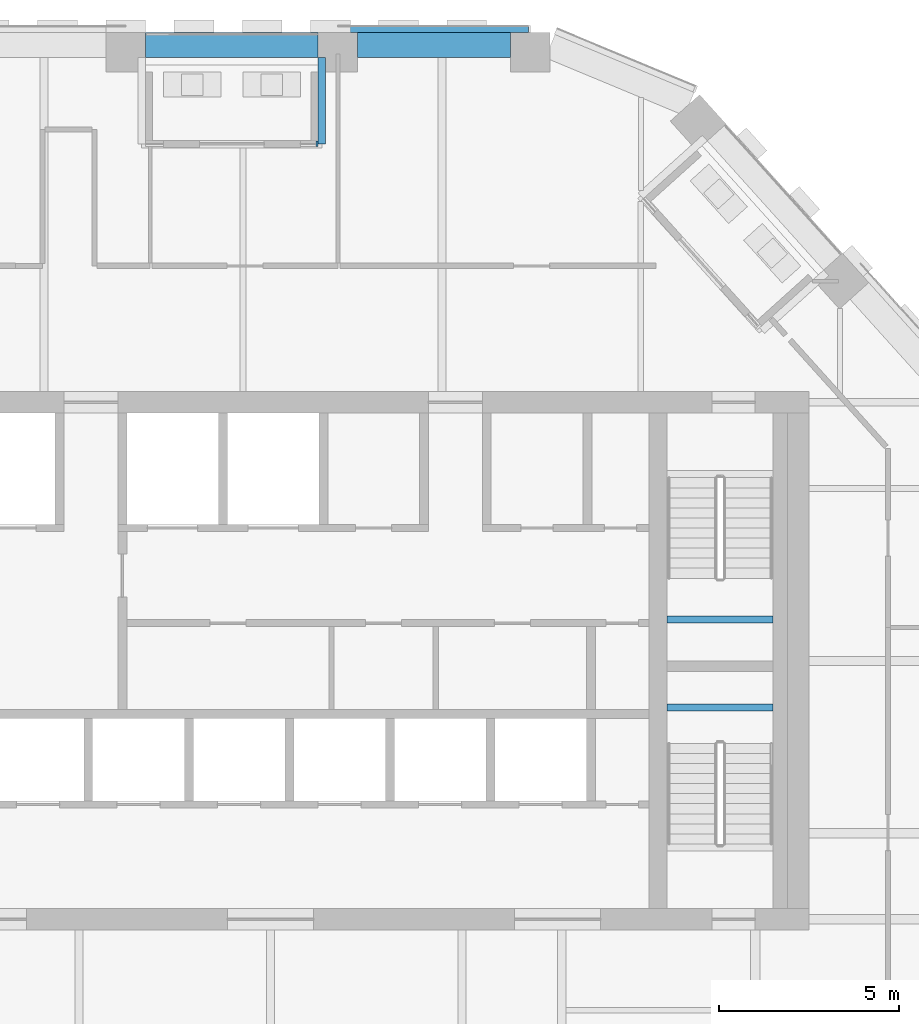
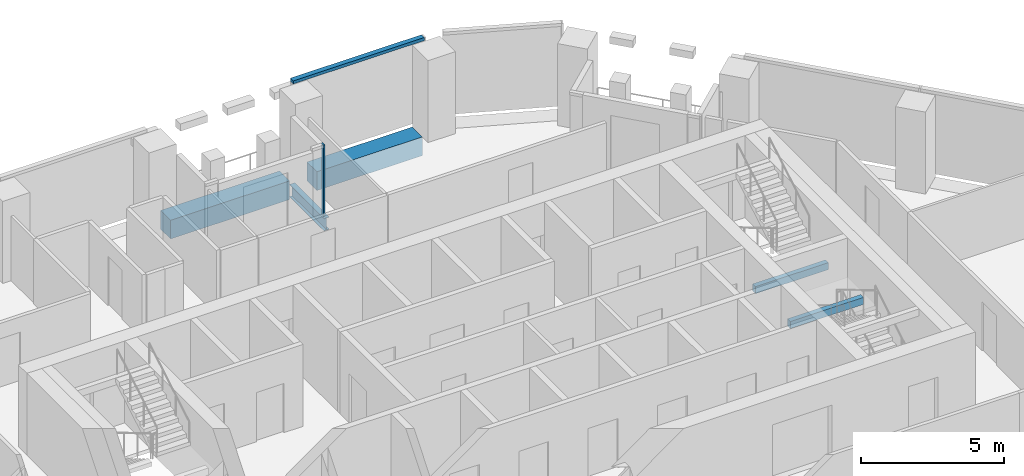
# One storey, part 7 of 24: 5 beams, 2 members, 2 elements without a shape of their own.
"""IFC4 building model written with IfcOpenShell, lengths in metres."""

from ifc_helpers import new_model, si_unit, direction, frame, origin, origin_2d, place, context, subcontext, project, spatial, rectangle, i_section, extrude, material, layer, layer_set, material_profile, profile_set, type_object, element, aggregate, save


model = new_model("IFC4")

# Units and contexts
model_context = context("Model", 3, precision=1e-05, world=origin(), true_north=direction((0.0, 1.0)))
body_context = subcontext(model_context, "Body", "Model", "MODEL_VIEW")
ifc_project = project(units=[si_unit("LENGTHUNIT", "METRE"), si_unit("AREAUNIT", "SQUARE_METRE"), si_unit("VOLUMEUNIT", "CUBIC_METRE"), si_unit("PLANEANGLEUNIT", "RADIAN"), si_unit("MASSUNIT", "GRAM", prefix="KILO")], contexts=[model_context])

# Site, building, storey
site_placement = place(None, origin())
site = spatial("IfcSite", under=ifc_project, at=site_placement, CompositionType="ELEMENT")
building_placement = place(site_placement, origin())
building = spatial("IfcBuilding", under=site, at=building_placement, Name="Isthmus Gate Tower", CompositionType="ELEMENT")
storey_placement = place(building_placement, frame((0.0, 0.0, 234.550048828125)))
storey = spatial("IfcBuildingStorey", under=building, at=storey_placement, Name="L59", CompositionType="ELEMENT", Elevation=234.550048828125)

# Curtain wall, member
ifc_material_1 = material(Name="Aluminium, pale champagne anodised", Category="aluminium")
ifc_layer_1 = layer(ifc_material_1, 0.199951171875)
ifc_layer_set_1 = layer_set([ifc_layer_1], Name="CW-1 UNITISED CURTAIN WALL 200 DEEP")
curtain_wall_type_1 = type_object("IfcCurtainWallType", Name="CW-1 UNITISED CURTAIN WALL 200 DEEP", PredefinedType="NOTDEFINED", material=ifc_layer_set_1)
curtain_wall_1_placement = place(storey_placement, origin())
curtain_wall_1 = element("IfcCurtainWall", 1, at=curtain_wall_1_placement, inside=storey, type_object=curtain_wall_type_1, Name="CW-1 N L59", PredefinedType="NOTDEFINED")
ifc_material_2 = material(Name="Aluminium, pale champagne anodised", Category="aluminium")
ifc_material_profile_1 = material_profile(ifc_material_2, rectangle(XDim=0.199951171875, YDim=0.1298828125, at=origin_2d()), Name="200x130")
ifc_profile_set_1 = profile_set([ifc_material_profile_1], Name="Aluminium, pale champagne anodised")
member_type_1 = type_object("IfcMemberType", Name="CW-1 TRANSOM 200 X 130", PredefinedType="USERDEFINED", material=ifc_profile_set_1)
member_1_placement = place(storey_placement, frame((7.18115234375, 25.10009765625, 3.5849609375), z_axis=(-1.0, 0.0, 0.0), x_axis=(0.0, -1.0, 0.0)))
member_1 = element("IfcMember", 2, at=member_1_placement, type_object=member_type_1, Name="CW-1 transom", ObjectType="TRANSOM", PredefinedType="USERDEFINED", context=body_context, shape_type="SweptSolid", body=[
    extrude(rectangle(XDim=0.199951171875, YDim=0.1298828125, at=origin_2d()), origin(), (0.0, 0.0, 1.0), 5.300537109375),
])
aggregate(curtain_wall_1, [member_1])

ifc_material_3 = material(Name="Aluminium, pale champagne anodised", Category="aluminium")
ifc_layer_2 = layer(ifc_material_3, 0.14990234375)
ifc_layer_set_2 = layer_set([ifc_layer_2], Name="CW-6 LOGGIA BACK WALL GLAZING 150 DEEP")
curtain_wall_type_2 = type_object("IfcCurtainWallType", Name="CW-6 LOGGIA BACK WALL GLAZING 150 DEEP", PredefinedType="NOTDEFINED", material=ifc_layer_set_2)
curtain_wall_2_placement = place(storey_placement, origin())
curtain_wall_2 = element("IfcCurtainWall", 3, at=curtain_wall_2_placement, inside=storey, type_object=curtain_wall_type_2, Name="CW-6 N L59", PredefinedType="NOTDEFINED")
ifc_material_4 = material(Name="Aluminium, pale champagne anodised", Category="aluminium")
ifc_material_profile_2 = material_profile(ifc_material_4, rectangle(XDim=0.06005859375, YDim=0.14990234375, at=origin_2d()), Name="60x150")
ifc_profile_set_2 = profile_set([ifc_material_profile_2], Name="Aluminium, pale champagne anodised")
member_type_2 = type_object("IfcMemberType", Name="CW-6 MULLION 60 X 150", PredefinedType="MULLION", material=ifc_profile_set_2)
member_2_placement = place(storey_placement, frame((1.300537109375, 21.89990234375, 0.0), z_axis=(0.0, 0.0, 1.0), x_axis=(-1.0, 0.0, 0.0)))
member_2 = element("IfcMember", 4, at=member_2_placement, type_object=member_type_2, Name="CW-6 mullion", PredefinedType="MULLION", context=body_context, shape_type="SweptSolid", body=[
    extrude(rectangle(XDim=0.06005859375, YDim=0.14990234375, at=origin_2d()), origin(), (0.0, 0.0, 1.0), 3.050048828125),
])
aggregate(curtain_wall_2, [member_2])

# Beams
ifc_material_5 = material(Name="Concrete f'c 50 MPa", Category="concrete")
ifc_material_profile_3 = material_profile(ifc_material_5, rectangle(XDim=0.699951171875, YDim=0.800048828125, at=origin_2d()), Name="RC 700X800")
ifc_profile_set_3 = profile_set([ifc_material_profile_3], Name="Concrete f'c 50 MPa")
beam_type_1 = type_object("IfcBeamType", Name="RC SPANDREL 700 X 800", PredefinedType="SPANDREL", material=ifc_profile_set_3)
beam_1_placement = place(storey_placement, frame((-3.47998046875, 24.64990234375, -0.400146484375), z_axis=(1.0, 0.0, 0.0), x_axis=(0.0, 1.0, 0.0)))
element("IfcBeam", 5, at=beam_1_placement, inside=storey, type_object=beam_type_1, Name="str-spandrel-L59-28", PredefinedType="SPANDREL", context=body_context, shape_type="SweptSolid", body=[
    extrude(rectangle(XDim=0.699951171875, YDim=0.800048828125, at=origin_2d()), origin(), (0.0, 0.0, 1.0), 4.810546875),
])
beam_2_placement = place(storey_placement, frame((2.430419921875, 24.64990234375, -0.400146484375), z_axis=(1.0, 0.0, 0.0), x_axis=(0.0, 1.0, 0.0)))
element("IfcBeam", 6, at=beam_2_placement, inside=storey, type_object=beam_type_1, Name="str-spandrel-L59-29", PredefinedType="SPANDREL", context=body_context, shape_type="SweptSolid", body=[
    extrude(rectangle(XDim=0.699951171875, YDim=0.800048828125, at=origin_2d()), origin(), (0.0, 0.0, 1.0), 4.2607421875),
])
ifc_material_6 = material(Name="Concrete f'c 40 MPa", Category="concrete")
ifc_material_profile_4 = material_profile(ifc_material_6, rectangle(XDim=0.199951171875, YDim=0.300048828125, at=origin_2d()), Name="STAIR LANDING BEAM RC 200 X 300")
ifc_profile_set_4 = profile_set([ifc_material_profile_4], Name="Concrete f'c 40 MPa")
beam_type_2 = type_object("IfcBeamType", Name="STAIR LANDING BEAM RC 200 X 300", PredefinedType="BEAM", material=ifc_profile_set_4)
for number, where, z_axis, x_axis, name in (
    (7, (11.050048828125, 8.64990234375, 1.474853515625), (1.0, 0.0, 0.0), (0.0, 1.0, 0.0), "L59 ST2 landing beam 1"),
    (8, (11.050048828125, 6.199951171875, 1.474853515625), (1.0, 0.0, 0.0), (0.0, 1.0, 0.0), "L59 ST8 landing beam 1"),
):
    element("IfcBeam", number, at=place(storey_placement, frame(where, z_axis=z_axis, x_axis=x_axis)), inside=storey, type_object=beam_type_2, Name=name, PredefinedType="BEAM", context=body_context, shape_type="SweptSolid", body=[
        extrude(rectangle(XDim=0.199951171875, YDim=0.300048828125, at=origin_2d()), origin(), (0.0, 0.0, 1.0), 2.949951171875),
    ])
ifc_material_7 = material(Name="Structural steel ASTM A992 Gr 50", Category="steel")
ifc_material_profile_5 = material_profile(ifc_material_7, i_section(OverallWidth=0.20947265625, OverallDepth=0.533447265625, WebThickness=0.009521484375, FlangeThickness=0.015869140625, at=origin_2d()), Name="W21X62")
ifc_profile_set_5 = profile_set([ifc_material_profile_5], Name="Structural steel ASTM A992 Gr 50")
beam_type_3 = type_object("IfcBeamType", Name="STEEL TRIMMER W21X62", PredefinedType="BEAM", material=ifc_profile_set_5)
beam_3_placement = place(storey_placement, frame((1.435302734375, 24.300048828125, -0.416748046875), z_axis=(0.0, -1.0, 0.0), x_axis=(1.0, 0.0, 0.0)))
element("IfcBeam", 9, at=beam_3_placement, inside=storey, type_object=beam_type_3, Name="str-loggiatrim-L59-01-A", PredefinedType="BEAM", context=body_context, shape_type="SweptSolid", body=[
    extrude(i_section(OverallWidth=0.20947265625, OverallDepth=0.533447265625, WebThickness=0.009521484375, FlangeThickness=0.015869140625, at=origin_2d()), origin(), (0.0, 0.0, 1.0), 2.40478515625),
])

save(model, "model.ifc")
